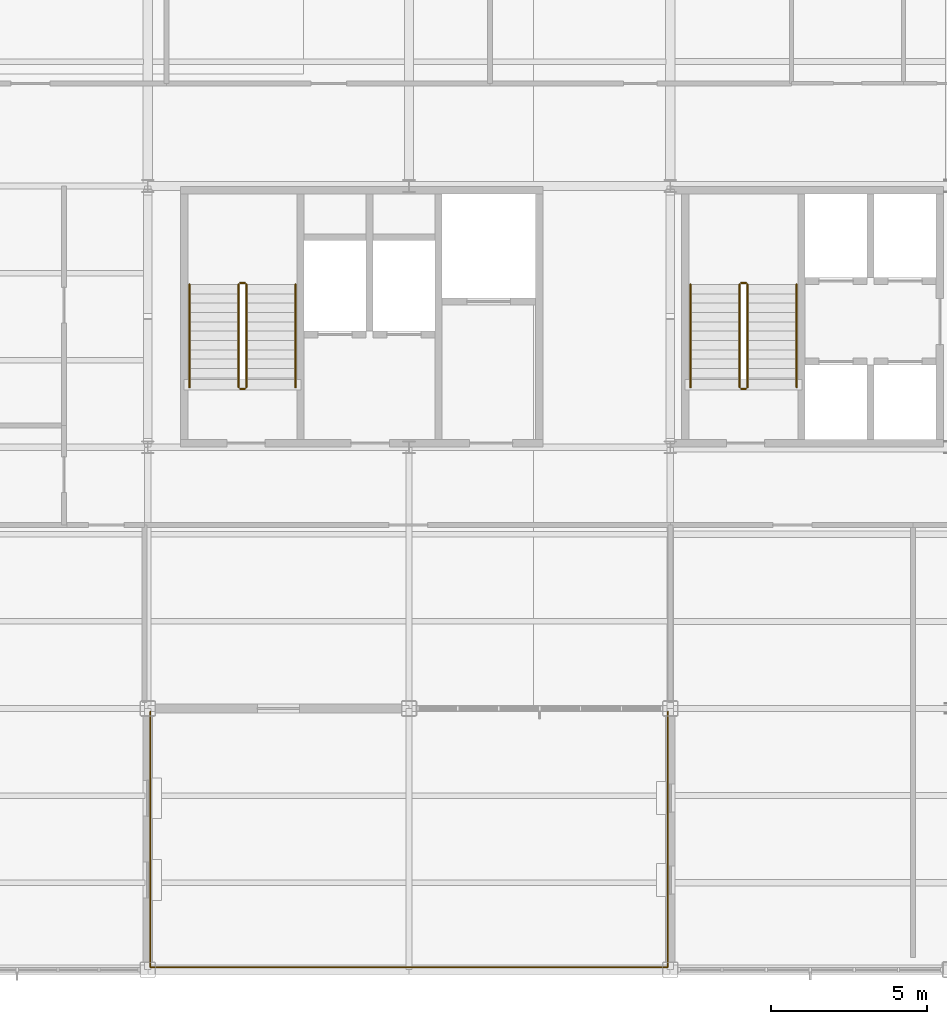
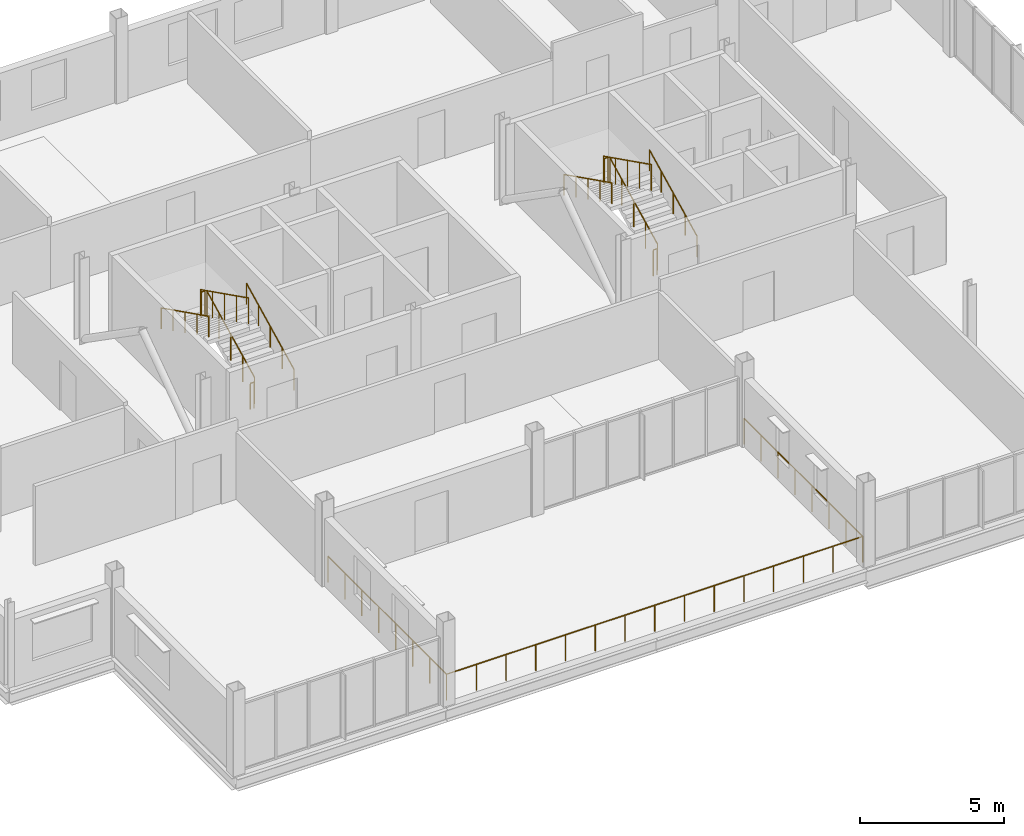
# One storey, part 17 of 20: 13 railings.
"""IFC4 building model written with IfcOpenShell, lengths in metres."""

from ifc_helpers import new_model, si_unit, direction, frame, origin, origin_2d, place, context, subcontext, project, spatial, circle, extrude, material, layer, layer_set, type_object, element, save


model = new_model("IFC4")

# Units and contexts
model_context = context("Model", 3, precision=1e-05, world=origin(), true_north=direction((0.0, 1.0)))
body_context = subcontext(model_context, "Body", "Model", "MODEL_VIEW")
ifc_project = project(units=[si_unit("LENGTHUNIT", "METRE"), si_unit("AREAUNIT", "SQUARE_METRE"), si_unit("VOLUMEUNIT", "CUBIC_METRE"), si_unit("PLANEANGLEUNIT", "RADIAN"), si_unit("MASSUNIT", "GRAM", prefix="KILO")], contexts=[model_context])

# Site, building, storey
site_placement = place(None, origin())
site = spatial("IfcSite", under=ifc_project, at=site_placement, CompositionType="ELEMENT")
building_placement = place(site_placement, origin())
building = spatial("IfcBuilding", under=site, at=building_placement, Name="Yukiwa Park Conservatory and Herbarium", CompositionType="ELEMENT")
storey_placement = place(building_placement, frame((0.0, 0.0, 28.199951171875)))
storey = spatial("IfcBuildingStorey", under=building, at=storey_placement, Name="L07", CompositionType="ELEMENT", Elevation=28.199951171875)

# Railings
ifc_material_1 = material(Name="Steel Q235B", Category="steel")
ifc_layer_1 = layer(ifc_material_1, 0.050048828125)
ifc_layer_set_1 = layer_set([ifc_layer_1], Name="Steel Q235B")
railing_type_1 = type_object("IfcRailingType", Name="RL-STAIR-GUARD-1120", PredefinedType="BALUSTRADE", material=ifc_layer_set_1)
railing_1_placement = place(storey_placement, frame((136.3701171875, 96.72998046875, 0.150146484375)))
element("IfcRailing", 1, at=railing_1_placement, inside=storey, type_object=railing_type_1, Name="L07 ST-T1 stair guard 1", PredefinedType="BALUSTRADE", context=body_context, shape_type="SweptSolid", body=[
    extrude(circle(Radius=0.02392578125, at=origin_2d()), frame((0.0, 0.0, 1.09619140625), z_axis=(0.0, 0.894440424912, 0.447187126696), x_axis=(-1.0, 0.0, 0.0)), (0.0, 0.0, 1.0), 3.689453125),
    extrude(circle(Radius=0.02099609375, at=origin_2d()), origin(), (0.0, 0.0, 1.0), 1.072021484375),
    extrude(circle(Radius=0.02099609375, at=origin_2d()), frame((0.0, 0.824951171875, 0.41259765625)), (0.0, 0.0, 1.0), 1.072021484375),
    extrude(circle(Radius=0.02099609375, at=origin_2d()), frame((0.0, 1.64990234375, 0.824951171875)), (0.0, 0.0, 1.0), 1.072021484375),
    extrude(circle(Radius=0.02099609375, at=origin_2d()), frame((0.0, 2.47509765625, 1.2373046875)), (0.0, 0.0, 1.0), 1.072021484375),
    extrude(circle(Radius=0.02099609375, at=origin_2d()), frame((0.0, 3.300048828125, 1.64990234375)), (0.0, 0.0, 1.0), 1.072021484375),
])
railing_2_placement = place(storey_placement, frame((136.320068359375, 100.080078125, 1.800048828125)))
element("IfcRailing", 2, at=railing_2_placement, inside=storey, type_object=railing_type_1, Name="L07 ST-T1 stair guard 2", PredefinedType="BALUSTRADE", context=body_context, shape_type="SweptSolid", body=[
    extrude(circle(Radius=0.02392578125, at=origin_2d()), frame((0.0, 0.0, 1.09619140625), z_axis=(-1.0, 0.0, 0.0), x_axis=(0.0, -1.0, 0.0)), (0.0, 0.0, 1.0), 0.150146484375),
    extrude(circle(Radius=0.02099609375, at=origin_2d()), origin(), (0.0, 0.0, 1.0), 1.072021484375),
    extrude(circle(Radius=0.02099609375, at=origin_2d()), frame((-0.150146484375, 0.0, 0.0)), (0.0, 0.0, 1.0), 1.072021484375),
])
railing_3_placement = place(storey_placement, frame((136.1201171875, 100.030029296875, 1.949951171875)))
element("IfcRailing", 3, at=railing_3_placement, inside=storey, type_object=railing_type_1, Name="L07 ST-T1 stair guard 3", PredefinedType="BALUSTRADE", context=body_context, shape_type="SweptSolid", body=[
    extrude(circle(Radius=0.02392578125, at=origin_2d()), frame((0.0, 0.0, 1.09619140625), z_axis=(0.0, -0.894413956696, 0.447240063129), x_axis=(1.0, 0.0, 0.0)), (0.0, 0.0, 1.0), 3.689697265625),
    extrude(circle(Radius=0.02099609375, at=origin_2d()), origin(), (0.0, 0.0, 1.0), 1.072021484375),
    extrude(circle(Radius=0.02099609375, at=origin_2d()), frame((0.0, -0.824951171875, 0.41259765625)), (0.0, 0.0, 1.0), 1.072021484375),
    extrude(circle(Radius=0.02099609375, at=origin_2d()), frame((0.0, -1.64990234375, 0.8251953125)), (0.0, 0.0, 1.0), 1.072021484375),
    extrude(circle(Radius=0.02099609375, at=origin_2d()), frame((0.0, -2.47509765625, 1.237548828125)), (0.0, 0.0, 1.0), 1.072021484375),
    extrude(circle(Radius=0.02099609375, at=origin_2d()), frame((0.0, -3.300048828125, 1.650146484375)), (0.0, 0.0, 1.0), 1.072021484375),
])
railing_4_placement = place(storey_placement, frame((136.320068359375, 96.679931640625, 0.0)))
element("IfcRailing", 4, at=railing_4_placement, inside=storey, type_object=railing_type_1, Name="L07 ST-T1 stair guard 4", PredefinedType="BALUSTRADE", context=body_context, shape_type="SweptSolid", body=[
    extrude(circle(Radius=0.02392578125, at=origin_2d()), frame((0.0, 0.0, 1.09619140625), z_axis=(-1.0, 0.0, 0.0), x_axis=(0.0, -1.0, 0.0)), (0.0, 0.0, 1.0), 0.150146484375),
    extrude(circle(Radius=0.02099609375, at=origin_2d()), origin(), (0.0, 0.0, 1.0), 1.072021484375),
    extrude(circle(Radius=0.02099609375, at=origin_2d()), frame((-0.150146484375, 0.0, 0.0)), (0.0, 0.0, 1.0), 1.072021484375),
])
railing_5_placement = place(storey_placement, frame((152.47998046875, 96.72998046875, 0.150146484375)))
element("IfcRailing", 5, at=railing_5_placement, inside=storey, type_object=railing_type_1, Name="L07 ST-T2 stair guard 1", PredefinedType="BALUSTRADE", context=body_context, shape_type="SweptSolid", body=[
    extrude(circle(Radius=0.02392578125, at=origin_2d()), frame((0.0, 0.0, 1.09619140625), z_axis=(0.0, 0.894440424912, 0.447187126696), x_axis=(-1.0, 0.0, 0.0)), (0.0, 0.0, 1.0), 3.689453125),
    extrude(circle(Radius=0.02099609375, at=origin_2d()), origin(), (0.0, 0.0, 1.0), 1.072021484375),
    extrude(circle(Radius=0.02099609375, at=origin_2d()), frame((0.0, 0.824951171875, 0.41259765625)), (0.0, 0.0, 1.0), 1.072021484375),
    extrude(circle(Radius=0.02099609375, at=origin_2d()), frame((0.0, 1.64990234375, 0.824951171875)), (0.0, 0.0, 1.0), 1.072021484375),
    extrude(circle(Radius=0.02099609375, at=origin_2d()), frame((0.0, 2.47509765625, 1.2373046875)), (0.0, 0.0, 1.0), 1.072021484375),
    extrude(circle(Radius=0.02099609375, at=origin_2d()), frame((0.0, 3.300048828125, 1.64990234375)), (0.0, 0.0, 1.0), 1.072021484375),
])
railing_6_placement = place(storey_placement, frame((152.429931640625, 100.080078125, 1.800048828125)))
element("IfcRailing", 6, at=railing_6_placement, inside=storey, type_object=railing_type_1, Name="L07 ST-T2 stair guard 2", PredefinedType="BALUSTRADE", context=body_context, shape_type="SweptSolid", body=[
    extrude(circle(Radius=0.02392578125, at=origin_2d()), frame((0.0, 0.0, 1.09619140625), z_axis=(-1.0, 0.0, 0.0), x_axis=(0.0, -1.0, 0.0)), (0.0, 0.0, 1.0), 0.14990234375),
    extrude(circle(Radius=0.02099609375, at=origin_2d()), origin(), (0.0, 0.0, 1.0), 1.072021484375),
    extrude(circle(Radius=0.02099609375, at=origin_2d()), frame((-0.14990234375, 0.0, 0.0)), (0.0, 0.0, 1.0), 1.072021484375),
])
railing_7_placement = place(storey_placement, frame((152.22998046875, 100.030029296875, 1.949951171875)))
element("IfcRailing", 7, at=railing_7_placement, inside=storey, type_object=railing_type_1, Name="L07 ST-T2 stair guard 3", PredefinedType="BALUSTRADE", context=body_context, shape_type="SweptSolid", body=[
    extrude(circle(Radius=0.02392578125, at=origin_2d()), frame((0.0, 0.0, 1.09619140625), z_axis=(0.0, -0.894413956696, 0.447240063129), x_axis=(1.0, 0.0, 0.0)), (0.0, 0.0, 1.0), 3.689697265625),
    extrude(circle(Radius=0.02099609375, at=origin_2d()), origin(), (0.0, 0.0, 1.0), 1.072021484375),
    extrude(circle(Radius=0.02099609375, at=origin_2d()), frame((0.0, -0.824951171875, 0.41259765625)), (0.0, 0.0, 1.0), 1.072021484375),
    extrude(circle(Radius=0.02099609375, at=origin_2d()), frame((0.0, -1.64990234375, 0.8251953125)), (0.0, 0.0, 1.0), 1.072021484375),
    extrude(circle(Radius=0.02099609375, at=origin_2d()), frame((0.0, -2.47509765625, 1.237548828125)), (0.0, 0.0, 1.0), 1.072021484375),
    extrude(circle(Radius=0.02099609375, at=origin_2d()), frame((0.0, -3.300048828125, 1.650146484375)), (0.0, 0.0, 1.0), 1.072021484375),
])
railing_8_placement = place(storey_placement, frame((152.429931640625, 96.679931640625, 0.0)))
element("IfcRailing", 8, at=railing_8_placement, inside=storey, type_object=railing_type_1, Name="L07 ST-T2 stair guard 4", PredefinedType="BALUSTRADE", context=body_context, shape_type="SweptSolid", body=[
    extrude(circle(Radius=0.02392578125, at=origin_2d()), frame((0.0, 0.0, 1.09619140625), z_axis=(-1.0, 0.0, 0.0), x_axis=(0.0, -1.0, 0.0)), (0.0, 0.0, 1.0), 0.14990234375),
    extrude(circle(Radius=0.02099609375, at=origin_2d()), origin(), (0.0, 0.0, 1.0), 1.072021484375),
    extrude(circle(Radius=0.02099609375, at=origin_2d()), frame((-0.14990234375, 0.0, 0.0)), (0.0, 0.0, 1.0), 1.072021484375),
])
ifc_material_2 = material(Name="Steel Q235B", Category="steel")
ifc_layer_2 = layer(ifc_material_2, 0.044921875)
ifc_layer_set_2 = layer_set([ifc_layer_2], Name="Steel Q235B")
railing_type_2 = type_object("IfcRailingType", Name="RL-STAIR-RAIL-900", PredefinedType="HANDRAIL", material=ifc_layer_set_2)
railing_9_placement = place(storey_placement, frame((137.949951171875, 96.72998046875, 0.150146484375)))
element("IfcRailing", 9, at=railing_9_placement, inside=storey, type_object=railing_type_2, Name="L07 ST-T1 stair handrail 1", PredefinedType="HANDRAIL", context=body_context, shape_type="SweptSolid", body=[
    extrude(circle(Radius=0.02392578125, at=origin_2d()), frame((0.0, 0.0, 0.8759765625), z_axis=(0.0, 0.894440424912, 0.447187126696), x_axis=(-1.0, 0.0, 0.0)), (0.0, 0.0, 1.0), 3.689453125),
    extrude(circle(Radius=0.02099609375, at=origin_2d()), origin(), (0.0, 0.0, 1.0), 0.851806640625),
    extrude(circle(Radius=0.02099609375, at=origin_2d()), frame((0.0, 0.824951171875, 0.41259765625)), (0.0, 0.0, 1.0), 0.851806640625),
    extrude(circle(Radius=0.02099609375, at=origin_2d()), frame((0.0, 1.64990234375, 0.824951171875)), (0.0, 0.0, 1.0), 0.851806640625),
    extrude(circle(Radius=0.02099609375, at=origin_2d()), frame((0.0, 2.47509765625, 1.2373046875)), (0.0, 0.0, 1.0), 0.851806640625),
    extrude(circle(Radius=0.02099609375, at=origin_2d()), frame((0.0, 3.300048828125, 1.64990234375)), (0.0, 0.0, 1.0), 0.851806640625),
])
railing_10_placement = place(storey_placement, frame((134.5400390625, 100.030029296875, 1.949951171875)))
element("IfcRailing", 10, at=railing_10_placement, inside=storey, type_object=railing_type_2, Name="L07 ST-T1 stair handrail 2", PredefinedType="HANDRAIL", context=body_context, shape_type="SweptSolid", body=[
    extrude(circle(Radius=0.02392578125, at=origin_2d()), frame((0.0, 0.0, 0.8759765625), z_axis=(0.0, -0.894413956696, 0.447240063129), x_axis=(1.0, 0.0, 0.0)), (0.0, 0.0, 1.0), 3.689697265625),
    extrude(circle(Radius=0.02099609375, at=origin_2d()), origin(), (0.0, 0.0, 1.0), 0.851806640625),
    extrude(circle(Radius=0.02099609375, at=origin_2d()), frame((0.0, -0.824951171875, 0.41259765625)), (0.0, 0.0, 1.0), 0.851806640625),
    extrude(circle(Radius=0.02099609375, at=origin_2d()), frame((0.0, -1.64990234375, 0.8251953125)), (0.0, 0.0, 1.0), 0.851806640625),
    extrude(circle(Radius=0.02099609375, at=origin_2d()), frame((0.0, -2.47509765625, 1.237548828125)), (0.0, 0.0, 1.0), 0.851806640625),
    extrude(circle(Radius=0.02099609375, at=origin_2d()), frame((0.0, -3.300048828125, 1.650146484375)), (0.0, 0.0, 1.0), 0.851806640625),
])
railing_11_placement = place(storey_placement, frame((154.06005859375, 96.72998046875, 0.150146484375)))
element("IfcRailing", 11, at=railing_11_placement, inside=storey, type_object=railing_type_2, Name="L07 ST-T2 stair handrail 1", PredefinedType="HANDRAIL", context=body_context, shape_type="SweptSolid", body=[
    extrude(circle(Radius=0.02392578125, at=origin_2d()), frame((0.0, 0.0, 0.8759765625), z_axis=(0.0, 0.894440424912, 0.447187126696), x_axis=(-1.0, 0.0, 0.0)), (0.0, 0.0, 1.0), 3.689453125),
    extrude(circle(Radius=0.02099609375, at=origin_2d()), origin(), (0.0, 0.0, 1.0), 0.851806640625),
    extrude(circle(Radius=0.02099609375, at=origin_2d()), frame((0.0, 0.824951171875, 0.41259765625)), (0.0, 0.0, 1.0), 0.851806640625),
    extrude(circle(Radius=0.02099609375, at=origin_2d()), frame((0.0, 1.64990234375, 0.824951171875)), (0.0, 0.0, 1.0), 0.851806640625),
    extrude(circle(Radius=0.02099609375, at=origin_2d()), frame((0.0, 2.47509765625, 1.2373046875)), (0.0, 0.0, 1.0), 0.851806640625),
    extrude(circle(Radius=0.02099609375, at=origin_2d()), frame((0.0, 3.300048828125, 1.64990234375)), (0.0, 0.0, 1.0), 0.851806640625),
])
railing_12_placement = place(storey_placement, frame((150.64990234375, 100.030029296875, 1.949951171875)))
element("IfcRailing", 12, at=railing_12_placement, inside=storey, type_object=railing_type_2, Name="L07 ST-T2 stair handrail 2", PredefinedType="HANDRAIL", context=body_context, shape_type="SweptSolid", body=[
    extrude(circle(Radius=0.02392578125, at=origin_2d()), frame((0.0, 0.0, 0.8759765625), z_axis=(0.0, -0.894413956696, 0.447240063129), x_axis=(1.0, 0.0, 0.0)), (0.0, 0.0, 1.0), 3.689697265625),
    extrude(circle(Radius=0.02099609375, at=origin_2d()), origin(), (0.0, 0.0, 1.0), 0.851806640625),
    extrude(circle(Radius=0.02099609375, at=origin_2d()), frame((0.0, -0.824951171875, 0.41259765625)), (0.0, 0.0, 1.0), 0.851806640625),
    extrude(circle(Radius=0.02099609375, at=origin_2d()), frame((0.0, -1.64990234375, 0.8251953125)), (0.0, 0.0, 1.0), 0.851806640625),
    extrude(circle(Radius=0.02099609375, at=origin_2d()), frame((0.0, -2.47509765625, 1.237548828125)), (0.0, 0.0, 1.0), 0.851806640625),
    extrude(circle(Radius=0.02099609375, at=origin_2d()), frame((0.0, -3.300048828125, 1.650146484375)), (0.0, 0.0, 1.0), 0.851806640625),
])
ifc_material_3 = material(Name="Steel Q235B", Category="steel")
ifc_layer_3 = layer(ifc_material_3, 0.06005859375)
ifc_layer_set_3 = layer_set([ifc_layer_3], Name="Steel Q235B")
railing_type_3 = type_object("IfcRailingType", Name="RL-TERRACE-GUARD-1120", PredefinedType="BALUSTRADE", material=ifc_layer_set_3)
railing_13_placement = place(storey_placement, frame((133.280029296875, 86.300048828125, 0.0)))
element("IfcRailing", 13, at=railing_13_placement, inside=storey, type_object=railing_type_3, Name="L07 outdoor terrace guard balustrade RL-TER-L07-SC", PredefinedType="BALUSTRADE", context=body_context, shape_type="SweptSolid", body=[
    extrude(circle(Radius=0.02392578125, at=origin_2d()), frame((0.0, 0.0, 1.09619140625), z_axis=(0.0, -1.0, 0.0), x_axis=(1.0, 0.0, 0.0)), (0.0, 0.0, 1.0), 8.219970703125),
    extrude(circle(Radius=0.02392578125, at=origin_2d()), frame((0.0, -8.219970703125, 1.09619140625), z_axis=(1.0, 0.0, 0.0), x_axis=(0.0, 1.0, 0.0)), (0.0, 0.0, 1.0), 16.639892578125),
    extrude(circle(Radius=0.02392578125, at=origin_2d()), frame((16.639892578125, -8.219970703125, 1.09619140625), z_axis=(0.0, 1.0, 0.0), x_axis=(-1.0, 0.0, 0.0)), (0.0, 0.0, 1.0), 8.219970703125),
    extrude(circle(Radius=0.02099609375, at=origin_2d()), origin(), (0.0, 0.0, 1.0), 1.072021484375),
    extrude(circle(Radius=0.02099609375, at=origin_2d()), frame((0.0, -1.17431640625, 0.0)), (0.0, 0.0, 1.0), 1.072021484375),
    extrude(circle(Radius=0.02099609375, at=origin_2d()), frame((0.0, -2.3486328125, 0.0)), (0.0, 0.0, 1.0), 1.072021484375),
    extrude(circle(Radius=0.02099609375, at=origin_2d()), frame((0.0, -3.52294921875, 0.0)), (0.0, 0.0, 1.0), 1.072021484375),
    extrude(circle(Radius=0.02099609375, at=origin_2d()), frame((0.0, -4.697021484375, 0.0)), (0.0, 0.0, 1.0), 1.072021484375),
    extrude(circle(Radius=0.02099609375, at=origin_2d()), frame((0.0, -5.871337890625, 0.0)), (0.0, 0.0, 1.0), 1.072021484375),
    extrude(circle(Radius=0.02099609375, at=origin_2d()), frame((0.0, -7.045654296875, 0.0)), (0.0, 0.0, 1.0), 1.072021484375),
    extrude(circle(Radius=0.02099609375, at=origin_2d()), frame((0.0, -8.219970703125, 0.0)), (0.0, 0.0, 1.0), 1.072021484375),
    extrude(circle(Radius=0.02099609375, at=origin_2d()), frame((1.1884765625, -8.219970703125, 0.0)), (0.0, 0.0, 1.0), 1.072021484375),
    extrude(circle(Radius=0.02099609375, at=origin_2d()), frame((2.377197265625, -8.219970703125, 0.0)), (0.0, 0.0, 1.0), 1.072021484375),
    extrude(circle(Radius=0.02099609375, at=origin_2d()), frame((3.565673828125, -8.219970703125, 0.0)), (0.0, 0.0, 1.0), 1.072021484375),
    extrude(circle(Radius=0.02099609375, at=origin_2d()), frame((4.754150390625, -8.219970703125, 0.0)), (0.0, 0.0, 1.0), 1.072021484375),
    extrude(circle(Radius=0.02099609375, at=origin_2d()), frame((5.94287109375, -8.219970703125, 0.0)), (0.0, 0.0, 1.0), 1.072021484375),
    extrude(circle(Radius=0.02099609375, at=origin_2d()), frame((7.13134765625, -8.219970703125, 0.0)), (0.0, 0.0, 1.0), 1.072021484375),
    extrude(circle(Radius=0.02099609375, at=origin_2d()), frame((8.31982421875, -8.219970703125, 0.0)), (0.0, 0.0, 1.0), 1.072021484375),
    extrude(circle(Radius=0.02099609375, at=origin_2d()), frame((9.508544921875, -8.219970703125, 0.0)), (0.0, 0.0, 1.0), 1.072021484375),
    extrude(circle(Radius=0.02099609375, at=origin_2d()), frame((10.697021484375, -8.219970703125, 0.0)), (0.0, 0.0, 1.0), 1.072021484375),
    extrude(circle(Radius=0.02099609375, at=origin_2d()), frame((11.8857421875, -8.219970703125, 0.0)), (0.0, 0.0, 1.0), 1.072021484375),
    extrude(circle(Radius=0.02099609375, at=origin_2d()), frame((13.07421875, -8.219970703125, 0.0)), (0.0, 0.0, 1.0), 1.072021484375),
    extrude(circle(Radius=0.02099609375, at=origin_2d()), frame((14.2626953125, -8.219970703125, 0.0)), (0.0, 0.0, 1.0), 1.072021484375),
    extrude(circle(Radius=0.02099609375, at=origin_2d()), frame((15.451416015625, -8.219970703125, 0.0)), (0.0, 0.0, 1.0), 1.072021484375),
    extrude(circle(Radius=0.02099609375, at=origin_2d()), frame((16.639892578125, -8.219970703125, 0.0)), (0.0, 0.0, 1.0), 1.072021484375),
    extrude(circle(Radius=0.02099609375, at=origin_2d()), frame((16.639892578125, -7.045654296875, 0.0)), (0.0, 0.0, 1.0), 1.072021484375),
    extrude(circle(Radius=0.02099609375, at=origin_2d()), frame((16.639892578125, -5.871337890625, 0.0)), (0.0, 0.0, 1.0), 1.072021484375),
    extrude(circle(Radius=0.02099609375, at=origin_2d()), frame((16.639892578125, -4.697021484375, 0.0)), (0.0, 0.0, 1.0), 1.072021484375),
    extrude(circle(Radius=0.02099609375, at=origin_2d()), frame((16.639892578125, -3.52294921875, 0.0)), (0.0, 0.0, 1.0), 1.072021484375),
    extrude(circle(Radius=0.02099609375, at=origin_2d()), frame((16.639892578125, -2.3486328125, 0.0)), (0.0, 0.0, 1.0), 1.072021484375),
    extrude(circle(Radius=0.02099609375, at=origin_2d()), frame((16.639892578125, -1.17431640625, 0.0)), (0.0, 0.0, 1.0), 1.072021484375),
    extrude(circle(Radius=0.02099609375, at=origin_2d()), frame((16.639892578125, 0.0, 0.0)), (0.0, 0.0, 1.0), 1.072021484375),
])

save(model, "model.ifc")
